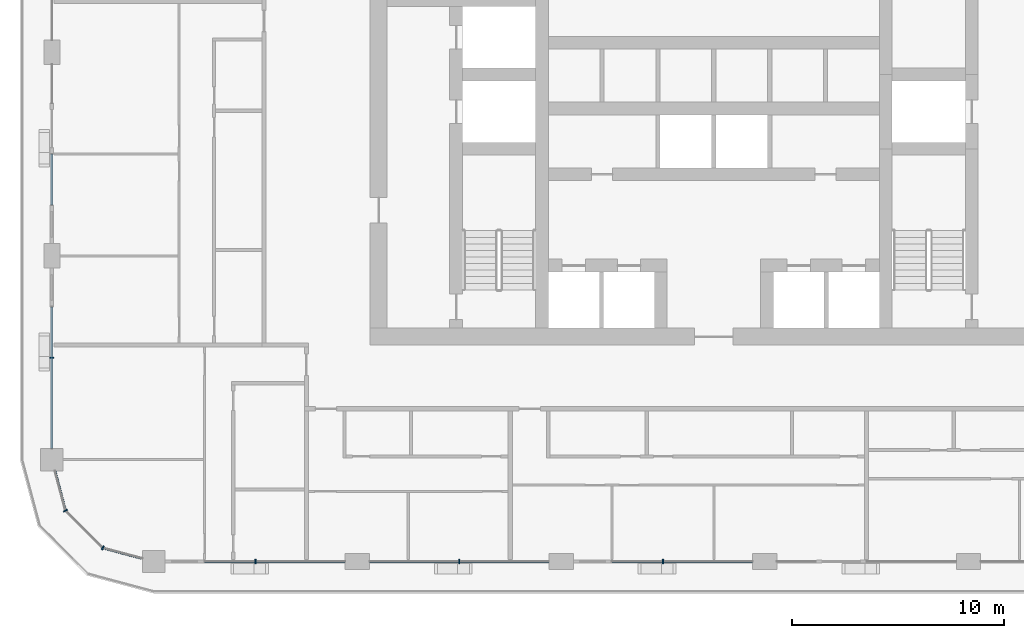
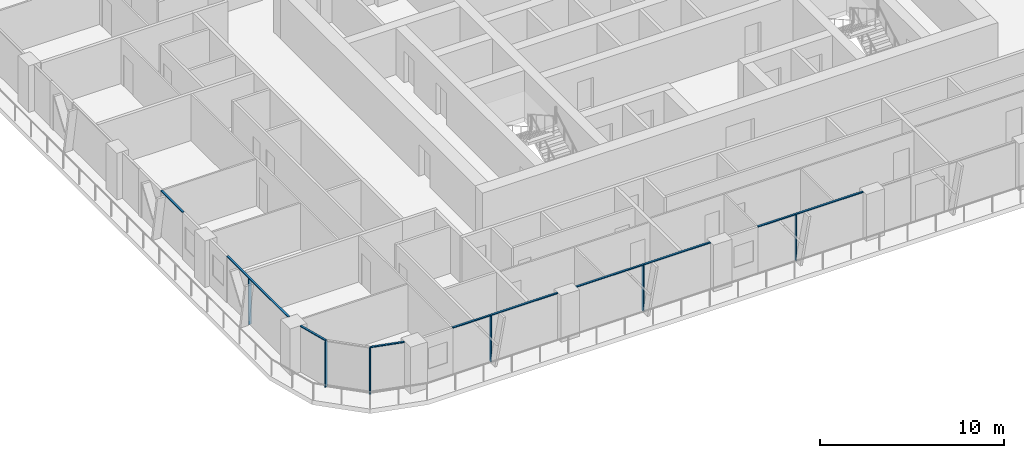
# One storey, part 2 of 22: 13 members, 6 elements without a shape of their own.
"""IFC4 building model written with IfcOpenShell, lengths in metres."""

from ifc_helpers import new_model, si_unit, direction, frame, origin, origin_2d, place, context, subcontext, project, spatial, rectangle, extrude, material, layer, layer_set, material_profile, profile_set, type_object, element, aggregate, save


model = new_model("IFC4")

# Units and contexts
model_context = context("Model", 3, precision=1e-05, world=origin(), true_north=direction((0.0, 1.0)))
body_context = subcontext(model_context, "Body", "Model", "MODEL_VIEW")
ifc_project = project(units=[si_unit("LENGTHUNIT", "METRE"), si_unit("AREAUNIT", "SQUARE_METRE"), si_unit("VOLUMEUNIT", "CUBIC_METRE"), si_unit("PLANEANGLEUNIT", "RADIAN"), si_unit("MASSUNIT", "GRAM", prefix="KILO")], contexts=[model_context])

# Site, building, storey
site_placement = place(None, origin())
site = spatial("IfcSite", under=ifc_project, at=site_placement, CompositionType="ELEMENT")
building_placement = place(site_placement, origin())
building = spatial("IfcBuilding", under=site, at=building_placement, Name="Madar Terraces", CompositionType="ELEMENT")
storey_placement = place(building_placement, frame((0.0, 0.0, 140.10009765625)))
storey = spatial("IfcBuildingStorey", under=building, at=storey_placement, Name="L36", CompositionType="ELEMENT", Elevation=140.10009765625)

# Curtain wall, member
ifc_material_1 = material(Name="Glass, ceramic frit dark grey, with black aluminium frame", Category="aluminium")
ifc_layer = layer(ifc_material_1, 0.199951171875)
ifc_layer_set = layer_set([ifc_layer], Name="Facade curtain wall, fritted glass")
curtain_wall_type = type_object("IfcCurtainWallType", Name="Facade curtain wall, fritted glass", PredefinedType="NOTDEFINED", material=ifc_layer_set)
curtain_wall_1_placement = place(storey_placement, origin())
curtain_wall_1 = element("IfcCurtainWall", 1, at=curtain_wall_1_placement, inside=storey, type_object=curtain_wall_type, Name="Outer skin curtain wall south bay 1", PredefinedType="NOTDEFINED")
ifc_material_2 = material(Name="Aluminium, black anodised", Category="aluminium")
ifc_material_profile_1 = material_profile(ifc_material_2, rectangle(XDim=0.199951171875, YDim=0.06005859375, at=origin_2d()), Name="Facade mullion 60x200")
ifc_profile_set_1 = profile_set([ifc_material_profile_1], Name="Aluminium, black anodised")
member_type_1 = type_object("IfcMemberType", Name="Facade mullion 60x200", PredefinedType="MULLION", material=ifc_profile_set_1)
member_1_placement = place(storey_placement, frame((9.60009765625, 4.800048828125, 0.0), z_axis=(0.0, 0.0, 1.0), x_axis=(0.0, 1.0, 0.0)))
member_1 = element("IfcMember", 2, at=member_1_placement, type_object=member_type_1, Name="Mullion 1", PredefinedType="MULLION", context=body_context, shape_type="SweptSolid", body=[
    extrude(rectangle(XDim=0.199951171875, YDim=0.06005859375, at=origin_2d()), origin(), (0.0, 0.0, 1.0), 3.039794921875),
])

curtain_wall_2_placement = place(storey_placement, origin())
curtain_wall_2 = element("IfcCurtainWall", 3, at=curtain_wall_2_placement, inside=storey, type_object=curtain_wall_type, Name="Outer skin curtain wall south bay 2", PredefinedType="NOTDEFINED")
member_2_placement = place(storey_placement, frame((19.199951171875, 4.800048828125, 0.0), z_axis=(0.0, 0.0, 1.0), x_axis=(0.0, 1.0, 0.0)))
member_2 = element("IfcMember", 4, at=member_2_placement, type_object=member_type_1, Name="Mullion 1", PredefinedType="MULLION", context=body_context, shape_type="SweptSolid", body=[
    extrude(rectangle(XDim=0.199951171875, YDim=0.06005859375, at=origin_2d()), origin(), (0.0, 0.0, 1.0), 3.039794921875),
])

curtain_wall_3_placement = place(storey_placement, origin())
curtain_wall_3 = element("IfcCurtainWall", 5, at=curtain_wall_3_placement, inside=storey, type_object=curtain_wall_type, Name="Outer skin curtain wall south bay 3", PredefinedType="NOTDEFINED")
member_3_placement = place(storey_placement, frame((28.800048828125, 4.800048828125, 0.0), z_axis=(0.0, 0.0, 1.0), x_axis=(0.0, 1.0, 0.0)))
member_3 = element("IfcMember", 6, at=member_3_placement, type_object=member_type_1, Name="Mullion 1", PredefinedType="MULLION", context=body_context, shape_type="SweptSolid", body=[
    extrude(rectangle(XDim=0.199951171875, YDim=0.06005859375, at=origin_2d()), origin(), (0.0, 0.0, 1.0), 3.039794921875),
])

curtain_wall_4_placement = place(storey_placement, origin())
curtain_wall_4 = element("IfcCurtainWall", 7, at=curtain_wall_4_placement, inside=storey, type_object=curtain_wall_type, Name="Outer skin curtain wall west bay 4", PredefinedType="NOTDEFINED")
member_4_placement = place(storey_placement, frame((0.0, 14.39990234375, 0.0), z_axis=(0.0, 0.0, 1.0), x_axis=(1.0, 0.0, 0.0)))
member_4 = element("IfcMember", 8, at=member_4_placement, type_object=member_type_1, Name="Mullion 1", PredefinedType="MULLION", context=body_context, shape_type="SweptSolid", body=[
    extrude(rectangle(XDim=0.199951171875, YDim=0.06005859375, at=origin_2d()), origin(), (0.0, 0.0, 1.0), 3.039794921875),
])

# Curtain wall, members
curtain_wall_5_placement = place(storey_placement, origin())
curtain_wall_5 = element("IfcCurtainWall", 9, at=curtain_wall_5_placement, inside=storey, type_object=curtain_wall_type, Name="Outer skin curtain wall south-west corner", PredefinedType="NOTDEFINED")
member_5_placement = place(storey_placement, frame((0.64306640625, 7.199951171875, 0.0), z_axis=(0.0, 0.0, 1.0), x_axis=(0.866025409797, 0.499999989586, 0.0)))
member_5 = element("IfcMember", 10, at=member_5_placement, type_object=member_type_1, Name="Mullion 1", PredefinedType="MULLION", context=body_context, shape_type="SweptSolid", body=[
    extrude(rectangle(XDim=0.199951171875, YDim=0.06005859375, at=origin_2d()), origin(), (0.0, 0.0, 1.0), 3.039794921875),
])
member_6_placement = place(storey_placement, frame((2.39990234375, 5.443115234375, 0.0), z_axis=(0.0, 0.0, 1.0), x_axis=(0.499999989586, 0.866025409797, 0.0)))
member_6 = element("IfcMember", 11, at=member_6_placement, type_object=member_type_1, Name="Mullion 2", PredefinedType="MULLION", context=body_context, shape_type="SweptSolid", body=[
    extrude(rectangle(XDim=0.199951171875, YDim=0.06005859375, at=origin_2d()), origin(), (0.0, 0.0, 1.0), 3.039794921875),
])

# Member
ifc_material_3 = material(Name="Aluminium, black anodised", Category="aluminium")
ifc_material_profile_2 = material_profile(ifc_material_3, rectangle(XDim=0.1201171875, YDim=0.06005859375, at=origin_2d()), Name="Facade transom 60x120")
ifc_profile_set_2 = profile_set([ifc_material_profile_2], Name="Aluminium, black anodised")
member_type_2 = type_object("IfcMemberType", Name="Facade transom 60x120", PredefinedType="USERDEFINED", material=ifc_profile_set_2)
member_7_placement = place(storey_placement, frame((7.199951171875, 4.800048828125, 3.06982421875), z_axis=(1.0, 0.0, 0.0), x_axis=(0.0, 1.0, 0.0)))
member_7 = element("IfcMember", 12, at=member_7_placement, type_object=member_type_2, Name="Transom 1", ObjectType="TRANSOM", PredefinedType="USERDEFINED", context=body_context, shape_type="SweptSolid", body=[
    extrude(rectangle(XDim=0.1201171875, YDim=0.06005859375, at=origin_2d()), origin(), (0.0, 0.0, 1.0), 6.625),
])

aggregate(curtain_wall_1, [member_1, member_7])

member_8_placement = place(storey_placement, frame((14.97509765625, 4.800048828125, 3.06982421875), z_axis=(1.0, 0.0, 0.0), x_axis=(0.0, 1.0, 0.0)))
member_8 = element("IfcMember", 13, at=member_8_placement, type_object=member_type_2, Name="Transom 1", ObjectType="TRANSOM", PredefinedType="USERDEFINED", context=body_context, shape_type="SweptSolid", body=[
    extrude(rectangle(XDim=0.1201171875, YDim=0.06005859375, at=origin_2d()), origin(), (0.0, 0.0, 1.0), 8.449951171875),
])

aggregate(curtain_wall_2, [member_2, member_8])

member_9_placement = place(storey_placement, frame((26.39990234375, 4.800048828125, 3.06982421875), z_axis=(1.0, 0.0, 0.0), x_axis=(0.0, 1.0, 0.0)))
member_9 = element("IfcMember", 14, at=member_9_placement, type_object=member_type_2, Name="Transom 1", ObjectType="TRANSOM", PredefinedType="USERDEFINED", context=body_context, shape_type="SweptSolid", body=[
    extrude(rectangle(XDim=0.1201171875, YDim=0.06005859375, at=origin_2d()), origin(), (0.0, 0.0, 1.0), 6.625),
])

aggregate(curtain_wall_3, [member_3, member_9])

# Curtain wall, member
curtain_wall_6_placement = place(storey_placement, origin())
curtain_wall_6 = element("IfcCurtainWall", 15, at=curtain_wall_6_placement, inside=storey, type_object=curtain_wall_type, Name="Outer skin curtain wall west bay 3", PredefinedType="NOTDEFINED")
member_10_placement = place(storey_placement, frame((0.0, 24.0, 3.06982421875), z_axis=(0.0, -1.0, 0.0), x_axis=(1.0, 0.0, 0.0)))
member_10 = element("IfcMember", 16, at=member_10_placement, type_object=member_type_2, Name="Transom 2", ObjectType="TRANSOM", PredefinedType="USERDEFINED", context=body_context, shape_type="SweptSolid", body=[
    extrude(rectangle(XDim=0.1201171875, YDim=0.06005859375, at=origin_2d()), origin(), (0.0, 0.0, 1.0), 2.39990234375),
])
aggregate(curtain_wall_6, [member_10])

# Member
member_11_placement = place(storey_placement, frame((0.0, 16.800048828125, 3.06982421875), z_axis=(0.0, -1.0, 0.0), x_axis=(1.0, 0.0, 0.0)))
member_11 = element("IfcMember", 17, at=member_11_placement, type_object=member_type_2, Name="Transom 1", ObjectType="TRANSOM", PredefinedType="USERDEFINED", context=body_context, shape_type="SweptSolid", body=[
    extrude(rectangle(XDim=0.1201171875, YDim=0.06005859375, at=origin_2d()), origin(), (0.0, 0.0, 1.0), 6.675048828125),
])

aggregate(curtain_wall_4, [member_4, member_11])

member_12_placement = place(storey_placement, frame((0.140625, 9.074951171875, 3.06982421875), z_axis=(0.258823354654, -0.965924671538, 0.0), x_axis=(0.965924671538, 0.258823354654, 0.0)))
member_12 = element("IfcMember", 18, at=member_12_placement, type_object=member_type_2, Name="Transom 1", ObjectType="TRANSOM", PredefinedType="USERDEFINED", context=body_context, shape_type="SweptSolid", body=[
    extrude(rectangle(XDim=0.1201171875, YDim=0.06005859375, at=origin_2d()), origin(), (0.0, 0.0, 1.0), 1.9111328125),
])

member_13_placement = place(storey_placement, frame((2.428955078125, 5.435302734375, 3.06982421875), z_axis=(0.965924671538, -0.258823354654, 0.0), x_axis=(0.258823354654, 0.965924671538, 0.0)))
member_13 = element("IfcMember", 19, at=member_13_placement, type_object=member_type_2, Name="Transom 3", ObjectType="TRANSOM", PredefinedType="USERDEFINED", context=body_context, shape_type="SweptSolid", body=[
    extrude(rectangle(XDim=0.1201171875, YDim=0.06005859375, at=origin_2d()), origin(), (0.0, 0.0, 1.0), 1.9111328125),
])

aggregate(curtain_wall_5, [member_5, member_12, member_6, member_13])

save(model, "model.ifc")
